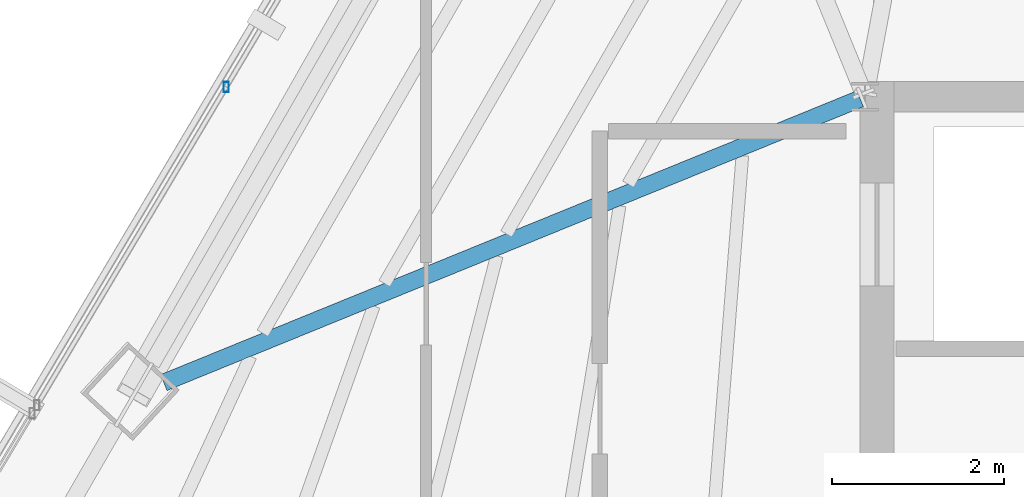
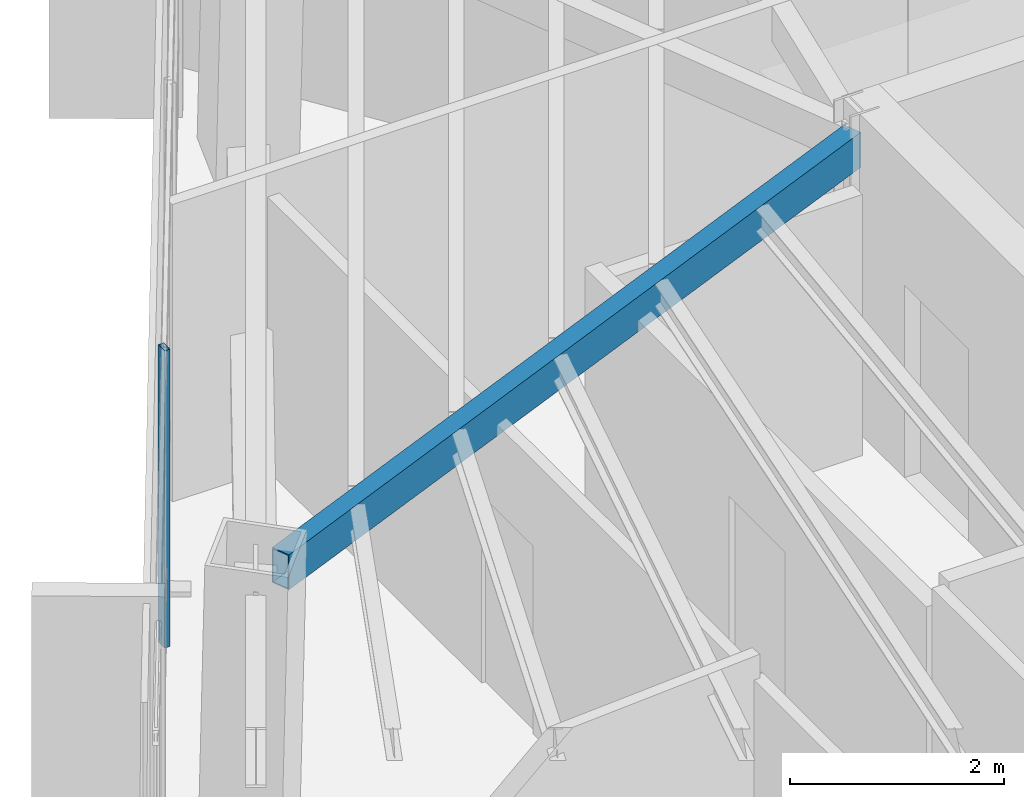
# One storey, part 18 of 47: 1 beam, 1 member, 1 element without a shape of its own.
"""IFC4 building model written with IfcOpenShell, lengths in metres."""

import ifcopenshell
import ifcopenshell.guid

model = None  # the IFC model being written
_history = None  # IfcOwnerHistory: only IFC2X3 demands one
_inside = {}  # id of a spatial element -> (the spatial element, [elements in it])
_under = {}  # id of a project, library or spatial element -> (it, [spatial elements below it])
_declared = {}  # id of a project -> (the project, [libraries it declares])
_typed = {}  # id of a type object -> (the type object, [elements of that type])
_made_of = {}  # id of a material, layer set ... -> (it, [elements and type objects made of it])


def new_model(schema):
    """Start an empty IFC model of exactly this schema.

    Asked for "IFC4X3", IfcOpenShell would pick the latest addendum, in which some entities
    have other attributes; the version numbers below select the first issue.
    IFC2X3 requires an IfcOwnerHistory on every rooted entity: one is made here for all.
    """
    global model, _history
    if schema == "IFC4X3":
        model = ifcopenshell.file(schema_version=(4, 3, 0, 0))
    else:
        model = ifcopenshell.file(schema=schema)
    _inside.clear()
    _under.clear()
    _declared.clear()
    _typed.clear()
    _made_of.clear()
    _history = None
    if model.schema == "IFC2X3":
        org = make("IfcOrganization", Name="unknown")
        user = make(
            "IfcPersonAndOrganization",
            ThePerson=make("IfcPerson", FamilyName="unknown"),
            TheOrganization=org,
        )
        app = make(
            "IfcApplication",
            ApplicationDeveloper=org,
            Version="unknown",
            ApplicationFullName="unknown",
            ApplicationIdentifier="unknown",
        )
        _history = make(
            "IfcOwnerHistory",
            OwningUser=user,
            OwningApplication=app,
            ChangeAction="ADDED",
            CreationDate=0,
        )
    return model


def make(cls, **values):
    """One entity of the class cls with the attributes given. An attribute that is None is left unset."""
    return model.create_entity(
        cls, **{name: value for name, value in values.items() if value is not None}
    )


def rooted(cls, **values):
    """An entity with a GlobalId (a new one), such as an element, a storey or a relation."""
    return make(cls, GlobalId=ifcopenshell.guid.new(), OwnerHistory=_history, **values)


def si_unit(unit_type, name, prefix=None):
    """IfcSIUnit, for example si_unit("LENGTHUNIT", "METRE", prefix="MILLI")."""
    return make("IfcSIUnit", UnitType=unit_type, Prefix=prefix, Name=name)


def assignment(units):
    """IfcUnitAssignment: the units of a project."""
    return None if units is None else make("IfcUnitAssignment", Units=units)


def point(xyz):
    """IfcCartesianPoint."""
    return None if xyz is None else make("IfcCartesianPoint", Coordinates=xyz)


def direction(xyz):
    """IfcDirection."""
    return None if xyz is None else make("IfcDirection", DirectionRatios=xyz)


def frame(location, z_axis=None, x_axis=None):
    """IfcAxis2Placement3D, a coordinate frame: its origin and axes. An axis left out is left unset."""
    return make(
        "IfcAxis2Placement3D",
        Location=point(location),
        Axis=direction(z_axis),
        RefDirection=direction(x_axis),
    )


def frame_2d(location, x_axis=None):
    """IfcAxis2Placement2D, a coordinate frame in the plane: its origin and x axis."""
    return make(
        "IfcAxis2Placement2D", Location=point(location), RefDirection=direction(x_axis)
    )


def origin():
    """The frame at (0, 0, 0) with its axes left unset."""
    return frame((0.0, 0.0, 0.0))


def origin_2d():
    """The frame at (0, 0) in the plane with its x axis left unset."""
    return frame_2d((0.0, 0.0))


def place(relative_to, where):
    """IfcLocalPlacement: puts the frame where relative to a parent placement (None: the world)."""
    return make(
        "IfcLocalPlacement", PlacementRelTo=relative_to, RelativePlacement=where
    )


def context(
    kind, dimensions, precision=None, world=None, true_north=None, identifier=None
):
    """IfcGeometricRepresentationContext, for example the 3D "Model" context."""
    return make(
        "IfcGeometricRepresentationContext",
        ContextIdentifier=identifier,
        ContextType=kind,
        CoordinateSpaceDimension=dimensions,
        Precision=precision,
        WorldCoordinateSystem=world,
        TrueNorth=true_north,
    )


def subcontext(parent, identifier, kind, view, scale=None):
    """IfcGeometricRepresentationSubContext, for example "Body" below "Model"."""
    return make(
        "IfcGeometricRepresentationSubContext",
        ContextIdentifier=identifier,
        ContextType=kind,
        ParentContext=parent,
        TargetScale=scale,
        TargetView=view,
    )


def project(units=None, contexts=None):
    """IfcProject with its units and contexts."""
    return rooted(
        "IfcProject",
        Name="project",
        RepresentationContexts=contexts,
        UnitsInContext=assignment(units),
    )


def spatial(cls, under=None, at=None, **own):
    """A site, building, storey or space (cls), placed at a placement, below another one or the project."""
    s = rooted(cls, ObjectPlacement=at, **own)
    if under is not None:
        _under.setdefault(under.id(), (under, []))[1].append(s)
    return s


def profile(cls, at=None, kind="AREA", **sizes):
    """A parametric profile (cls). Its sizes go by their IFC names, for example OverallWidth=200.0."""
    return make(cls, ProfileType=kind, Position=at, **sizes)


def hollow_rectangle(**sizes):
    """IfcRectangleHollowProfileDef."""
    return profile("IfcRectangleHollowProfileDef", **sizes)


def extrude(swept, where, along, depth):
    """IfcExtrudedAreaSolid: the profile swept, set in the frame where, extruded along a direction by depth."""
    return make(
        "IfcExtrudedAreaSolid",
        SweptArea=swept,
        Position=where,
        ExtrudedDirection=direction(along),
        Depth=depth,
    )


def shape(context_of_items, identifier, shape_type, items):
    """IfcShapeRepresentation: the items that make up one representation, for example the "Body"."""
    return make(
        "IfcShapeRepresentation",
        ContextOfItems=context_of_items,
        RepresentationIdentifier=identifier,
        RepresentationType=shape_type,
        Items=items,
    )


def source(mapping_origin, context_of_items, identifier, shape_type, items):
    """IfcRepresentationMap: a shape defined once, which mapped items show again and again."""
    return make(
        "IfcRepresentationMap",
        MappingOrigin=mapping_origin,
        MappedRepresentation=shape(context_of_items, identifier, shape_type, items),
    )


def transform(
    local_origin,
    x_axis=None,
    y_axis=None,
    z_axis=None,
    scale=None,
    scale2=None,
    scale3=None,
    uniform=True,
):
    """IfcCartesianTransformationOperator3D, or its non-uniform kind. x_axis, y_axis, z_axis: its Axis1, 2, 3."""
    if uniform:
        return make(
            "IfcCartesianTransformationOperator3D",
            Axis1=direction(x_axis),
            Axis2=direction(y_axis),
            LocalOrigin=point(local_origin),
            Scale=scale,
            Axis3=direction(z_axis),
        )
    return make(
        "IfcCartesianTransformationOperator3DnonUniform",
        Axis1=direction(x_axis),
        Axis2=direction(y_axis),
        LocalOrigin=point(local_origin),
        Scale=scale,
        Axis3=direction(z_axis),
        Scale2=scale2,
        Scale3=scale3,
    )


def mapped(mapping_source, mapping_target):
    """IfcMappedItem: shows the shape of a source again, moved by a transform."""
    return make(
        "IfcMappedItem", MappingSource=mapping_source, MappingTarget=mapping_target
    )


def material(Name=None, Category=None):
    """IfcMaterial."""
    return make("IfcMaterial", Name=Name, Category=Category)


def material_profile(
    of_material, cross_section, Name=None, Category=None, Priority=None
):
    """IfcMaterialProfile: a cross section and its material."""
    return make(
        "IfcMaterialProfile",
        Name=Name,
        Material=of_material,
        Profile=cross_section,
        Priority=Priority,
        Category=Category,
    )


def profile_set(profiles, Name=None, composite=None):
    """IfcMaterialProfileSet."""
    return make(
        "IfcMaterialProfileSet",
        Name=Name,
        MaterialProfiles=profiles,
        CompositeProfile=composite,
    )


def made_of(thing, what):
    """Note that an element or type object is made of a material, layer set ...; save() writes the relation."""
    if what is not None:
        _made_of.setdefault(what.id(), (what, []))[1].append(thing)
    return thing


def type_object(cls, material=None, **own):
    """A type object (cls), such as IfcWallType, which elements share."""
    return made_of(rooted(cls, **own), material)


def type_shapes(of_type, sources):
    """Give a type object the sources (RepresentationMaps) that its elements show as mapped items."""
    of_type.RepresentationMaps = sources


def element(
    cls,
    number,
    at=None,
    inside=None,
    cuts=None,
    type_object=None,
    material=None,
    context=None,
    identifier="Body",
    shape_type=None,
    held_by="IfcProductDefinitionShape",
    body=None,
    shapes=None,
    **own,
):
    """One element of the class cls, such as IfcWall. Its Tag is "e" and its number.

    at: its placement. inside: the storey or other place that contains it. cuts: it is an
    opening in that element (IfcRelVoidsElement). A single representation is given by context,
    identifier, shape_type and body (its items); several are given by shapes. held_by: the class
    of the entity that holds the representations. save() writes the other relations.
    """
    e = rooted(cls, Tag="e%d" % number, ObjectPlacement=at, **own)
    if body is not None:
        shapes = [shape(context, identifier, shape_type, body)]
    if shapes is not None:
        e.Representation = make(held_by, Representations=shapes)
    if inside is not None:
        _inside.setdefault(inside.id(), (inside, []))[1].append(e)
    if cuts is not None:
        rooted(
            "IfcRelVoidsElement", RelatingBuildingElement=cuts, RelatedOpeningElement=e
        )
    if type_object is not None:
        _typed.setdefault(type_object.id(), (type_object, []))[1].append(e)
    return made_of(e, material)


def aggregate(whole, parts):
    """IfcRelAggregates: a whole, such as a stair, and the parts it consists of."""
    return rooted("IfcRelAggregates", RelatingObject=whole, RelatedObjects=parts)


def save(model, path):
    """Write the relations noted so far, then the file.

    IfcRelAggregates (storeys below a building ...), IfcRelContainedInSpatialStructure (elements
    in a storey), IfcRelDefinesByType, IfcRelAssociatesMaterial and IfcRelDeclares: one each for
    every whole, place, type object, material and project.
    """
    for whole, parts in _under.values():
        aggregate(whole, parts)
    for where, things in _inside.values():
        rooted(
            "IfcRelContainedInSpatialStructure",
            RelatedElements=things,
            RelatingStructure=where,
        )
    for kind, things in _typed.values():
        rooted("IfcRelDefinesByType", RelatedObjects=things, RelatingType=kind)
    for what, things in _made_of.values():
        rooted("IfcRelAssociatesMaterial", RelatedObjects=things, RelatingMaterial=what)
    for by, libraries in _declared.values():
        rooted("IfcRelDeclares", RelatingContext=by, RelatedDefinitions=libraries)
    model.write(path)


model = new_model("IFC4")

# Units and contexts
model_context = context("Model", 3, precision=1e-05, world=origin(), true_north=direction((0.0, 1.0)))
body_context = subcontext(model_context, "Body", "Model", "MODEL_VIEW")
ifc_project = project(units=[si_unit("LENGTHUNIT", "METRE"), si_unit("AREAUNIT", "SQUARE_METRE"), si_unit("VOLUMEUNIT", "CUBIC_METRE"), si_unit("PLANEANGLEUNIT", "RADIAN"), si_unit("MASSUNIT", "GRAM", prefix="KILO")], contexts=[model_context])

# Site, building, storey
site_placement = place(None, origin())
site = spatial("IfcSite", under=ifc_project, at=site_placement, CompositionType="ELEMENT")
building_placement = place(site_placement, origin())
building = spatial("IfcBuilding", under=site, at=building_placement, Name="Caelisora Broadcast Tower", CompositionType="ELEMENT")
storey_placement = place(building_placement, frame((0.0, 0.0, 229.85009765625)))
storey = spatial("IfcBuildingStorey", under=building, at=storey_placement, Name="L60", CompositionType="ELEMENT", Elevation=229.85009765625)

# Beam
ifc_material_1 = material(Name="Steel Grade 350 (AS/NZS 1163 C350L0)", Category="steel")
ifc_material_profile_1 = material_profile(ifc_material_1, hollow_rectangle(XDim=0.199951171875, YDim=0.39990234375, WallThickness=0.012451171875, at=origin_2d()), Name="Steel Grade 350 (AS/NZS 1163 C350L0)")
ifc_profile_set_1 = profile_set([ifc_material_profile_1], Name="Steel Grade 350 (AS/NZS 1163 C350L0)")
beam_type = type_object("IfcBeamType", Name="PG07", PredefinedType="BEAM", material=ifc_profile_set_1)
shared_shape_1 = source(origin(), body_context, "Body", "SweptSolid", [
    extrude(hollow_rectangle(XDim=0.199951171875, YDim=0.39990234375, WallThickness=0.012451171875, at=origin_2d()), origin(), (0.0, 0.0, 1.0), 8.739501953125),
])
type_shapes(beam_type, [shared_shape_1])
beam_placement = place(storey_placement, frame((30.4443359375, 29.977294921875, 3.199951171875), z_axis=(-0.92601171956, -0.377494761868, 0.0), x_axis=(0.377494761868, -0.92601171956, 0.0)))
element("IfcBeam", 1, at=beam_placement, inside=storey, type_object=beam_type, Name="L60 beam PG07", PredefinedType="BEAM", context=body_context, shape_type="MappedRepresentation", body=[
    mapped(shared_shape_1, transform((0.0, 0.0, 0.0), scale=1.0)),
])

# Curtain wall, member
ifc_material_2 = material(Name="Unitised Aluminium Insulated Shadow-Box Spandrel Curtain Wall", Category="aluminium")
curtain_wall_type = type_object("IfcCurtainWallType", Name="CW-SP3", PredefinedType="NOTDEFINED", material=ifc_material_2)
curtain_wall_placement = place(storey_placement, origin())
curtain_wall = element("IfcCurtainWall", 2, at=curtain_wall_placement, inside=storey, type_object=curtain_wall_type, Name="L60 curtain wall CW-SP3", PredefinedType="NOTDEFINED")
ifc_material_3 = material(Name="Aluminium 6063-T6 Anodised Terracotta Bronze", Category="aluminium")
ifc_material_profile_2 = material_profile(ifc_material_3, hollow_rectangle(XDim=0.06005859375, YDim=0.1201171875, WallThickness=0.0029296875, at=origin_2d()), Name="Aluminium 6063-T6 Anodised Terracotta Bronze")
ifc_profile_set_2 = profile_set([ifc_material_profile_2], Name="Aluminium 6063-T6 Anodised Terracotta Bronze")
member_type = type_object("IfcMemberType", Name="CWM-04", PredefinedType="MULLION", material=ifc_profile_set_2)
shared_shape_2 = source(origin(), body_context, "Body", "SweptSolid", [
    extrude(hollow_rectangle(XDim=0.06005859375, YDim=0.1201171875, WallThickness=0.0029296875, at=origin_2d()), origin(), (0.0, 0.0, 1.0), 3.39990234375),
])
type_shapes(member_type, [shared_shape_2])
member_placement = place(storey_placement, frame((23.07666015625, 30.114013671875, 0.0), z_axis=(0.0, 0.0, 1.0), x_axis=(1.0, 0.0, 0.0)))
member = element("IfcMember", 3, at=member_placement, type_object=member_type, Name="L60-CW-B10 mullion #1", PredefinedType="MULLION", context=body_context, shape_type="MappedRepresentation", body=[
    mapped(shared_shape_2, transform((0.0, 0.0, 0.0), scale=1.0)),
])
aggregate(curtain_wall, [member])

save(model, "model.ifc")
